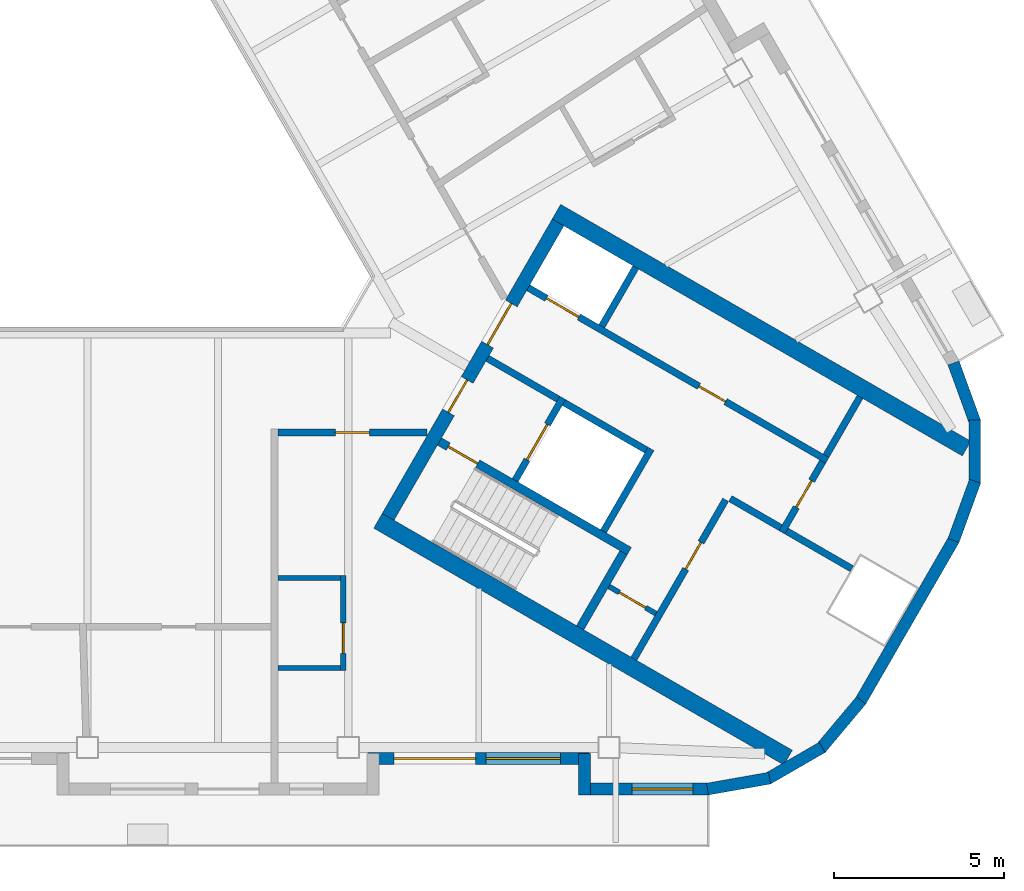
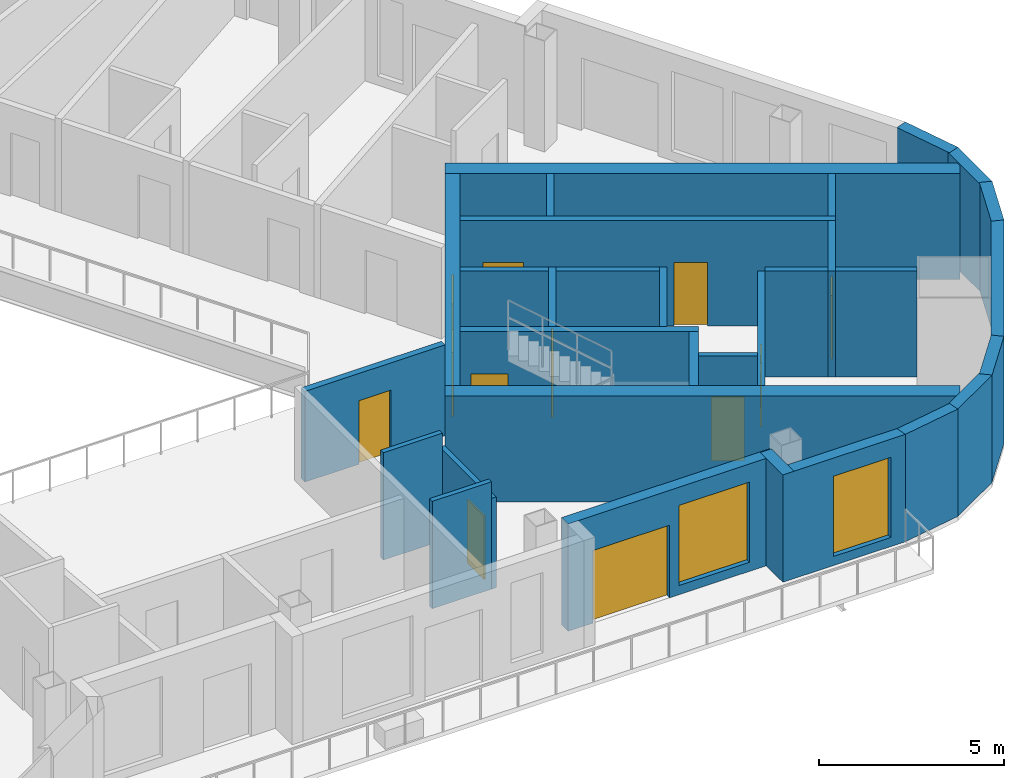
# One storey, part 5 of 14: 31 walls, 12 doors, 2 windows, 14 openings.
"""IFC4 building model written with IfcOpenShell, lengths in metres."""

from ifc_helpers import new_model, si_unit, direction, frame, frame_2d, origin, place, context, subcontext, project, spatial, rectangle, extrude, material, layer, layer_set, type_object, element, fill, save


model = new_model("IFC4")

# Units and contexts
model_context = context("Model", 3, precision=1e-05, world=origin(), true_north=direction((0.0, 1.0)))
body_context = subcontext(model_context, "Body", "Model", "MODEL_VIEW")
ifc_project = project(units=[si_unit("LENGTHUNIT", "METRE"), si_unit("AREAUNIT", "SQUARE_METRE"), si_unit("VOLUMEUNIT", "CUBIC_METRE"), si_unit("PLANEANGLEUNIT", "RADIAN"), si_unit("MASSUNIT", "GRAM", prefix="KILO")], contexts=[model_context])

# Site, building, storey
site_placement = place(None, origin())
site = spatial("IfcSite", under=ifc_project, at=site_placement, CompositionType="ELEMENT")
building_placement = place(site_placement, origin())
building = spatial("IfcBuilding", under=site, at=building_placement, Name="Apuvela Tower Hotel", CompositionType="ELEMENT")
storey_placement = place(building_placement, frame((0.0, 0.0, 261.5)))
storey = spatial("IfcBuildingStorey", under=building, at=storey_placement, Name="L64", CompositionType="ELEMENT", Elevation=261.5)

# Wall, openings, doors
ifc_material_1 = material(Name="Concrete C50/60", Category="concrete")
ifc_layer_1 = layer(ifc_material_1, 0.39990234375)
ifc_layer_set_1 = layer_set([ifc_layer_1], Name="COR-WALL-CORE-400")
wall_type_1 = type_object("IfcWallType", Name="COR-WALL-CORE-400", PredefinedType="SHEAR", material=ifc_layer_set_1)
wall_1_placement = place(storey_placement, frame((8.844970703125, -10.880126953125, 0.0), z_axis=(0.0, 0.0, 1.0), x_axis=(0.500004234368, 0.866022959057, 0.0)))
wall_1 = element("IfcWall", 1, at=wall_1_placement, inside=storey, type_object=wall_type_1, Name="Core wall SE", PredefinedType="SHEAR", context=body_context, shape_type="SweptSolid", body=[
    extrude(rectangle(XDim=10.0, YDim=0.39990234375, at=frame_2d((5.0, 0.0))), origin(), (0.0, 0.0, 1.0), 3.5),
])
opening_1_placement = place(wall_1_placement, frame((3.550048828125, 0.0, 0.0)))
opening_1 = element("IfcOpeningElement", 2, at=opening_1_placement, cuts=wall_1, Name="Opening E-FD", PredefinedType="OPENING", context=body_context, shape_type="SweptSolid", body=[
    extrude(rectangle(XDim=1.10009765625, YDim=2.10009765625, at=frame_2d((0.550048828125, 1.050048828125))), frame((0.0, 0.2099609375, 0.0), z_axis=(0.0, -1.0, 0.0), x_axis=(1.0, 0.0, 0.0)), (0.0, 0.0, 1.0), 0.419921875),
])
opening_2_placement = place(wall_1_placement, frame((5.85009765625, 0.0, 0.0)))
opening_2 = element("IfcOpeningElement", 3, at=opening_2_placement, cuts=wall_1, Name="Opening E-GD", PredefinedType="OPENING", context=body_context, shape_type="SweptSolid", body=[
    extrude(rectangle(XDim=1.39990234375, YDim=2.10009765625, at=frame_2d((0.699951171875, 1.050048828125))), frame((0.0, 0.2099609375, 0.0), z_axis=(0.0, -1.0, 0.0), x_axis=(1.0, 0.0, 0.0)), (0.0, 0.0, 1.0), 0.419921875),
])
ifc_material_2 = material(Name="Steel fire door, powder coated", Category="steel")
door_type_1 = type_object("IfcDoorType", Name="COR-FD-1100", OperationType="NOTDEFINED", PredefinedType="DOOR", material=ifc_material_2)
door_1_placement = place(opening_1_placement, frame((1.10009765625, 0.0, 0.0), z_axis=(0.0, 0.0, 1.0), x_axis=(-1.0, 0.0, 0.0)))
door_1 = element("IfcDoor", 4, at=door_1_placement, inside=storey, type_object=door_type_1, Name="Firefighting lobby door E-FD", OperationType="SINGLE_SWING_LEFT", OverallHeight=2.10009765625, OverallWidth=1.10009765625, PredefinedType="DOOR", context=body_context, shape_type="SweptSolid", body=[
    extrude(rectangle(XDim=1.10009765625, YDim=2.10009765625, at=frame_2d((0.550048828125, 1.050048828125))), frame((0.0, 0.02490234375, 0.0), z_axis=(0.0, -1.0, 0.0), x_axis=(1.0, 0.0, 0.0)), (0.0, 0.0, 1.0), 0.050048828125),
])
fill(opening_1, door_1)
ifc_material_3 = material(Name="Glazed steel fire door", Category="steel")
door_type_2 = type_object("IfcDoorType", Name="COR-GD-1400", OperationType="DOUBLE_DOOR_SINGLE_SWING", PredefinedType="DOOR", material=ifc_material_3)
door_2_placement = place(opening_2_placement, frame((1.39990234375, 0.0, 0.0), z_axis=(0.0, 0.0, 1.0), x_axis=(-1.0, 0.0, 0.0)))
door_2 = element("IfcDoor", 5, at=door_2_placement, inside=storey, type_object=door_type_2, Name="Lift lobby door E-GD", OperationType="DOUBLE_DOOR_SINGLE_SWING", OverallHeight=2.10009765625, OverallWidth=1.39990234375, PredefinedType="DOOR", context=body_context, shape_type="SweptSolid", body=[
    extrude(rectangle(XDim=1.39990234375, YDim=2.10009765625, at=frame_2d((0.699951171875, 1.050048828125))), frame((0.0, 0.02490234375, 0.0), z_axis=(0.0, -1.0, 0.0), x_axis=(1.0, 0.0, 0.0)), (0.0, 0.0, 1.0), 0.050048828125),
])
fill(opening_2, door_2)

# Walls
ifc_layer_2 = layer(ifc_material_1, 0.5)
ifc_layer_set_2 = layer_set([ifc_layer_2], Name="COR-WALL-CORE-500")
wall_type_2 = type_object("IfcWallType", Name="COR-WALL-CORE-500", PredefinedType="SHEAR", material=ifc_layer_set_2)
for number, where, z_axis, x_axis, name in (
    (6, (8.546630859375, -10.99658203125, 0.0), (0.0, 0.0, 1.0), (0.86602744543, -0.49999646375, 0.0), "Core wall SE"),
    (7, (13.796630859375, -1.9033203125, 0.0), (0.0, 0.0, 1.0), (0.86602744543, -0.49999646375, 0.0), "Core wall SE"),
):
    element("IfcWall", number, at=place(storey_placement, frame(where, z_axis=z_axis, x_axis=x_axis)), inside=storey, type_object=wall_type_2, Name=name, PredefinedType="SHEAR", context=body_context, shape_type="SweptSolid", body=[
        extrude(rectangle(XDim=13.93408203125, YDim=0.5, at=frame_2d((6.967041015625, 0.0))), origin(), (0.0, 0.0, 1.0), 3.5),
    ])

# Wall, opening, door
ifc_material_4 = material(Name="Blockwork 150 mm plastered", Category="masonry")
ifc_layer_3 = layer(ifc_material_4, 0.14990234375)
ifc_layer_set_3 = layer_set([ifc_layer_3], Name="COR-WALL-PART-150")
wall_type_3 = type_object("IfcWallType", Name="COR-WALL-PART-150", PredefinedType="PARTITIONING", material=ifc_layer_set_3)
wall_2_placement = place(storey_placement, frame((15.341552734375, -12.927734375, 0.0), z_axis=(0.0, 0.0, 1.0), x_axis=(0.865989903783, -0.500061482766, 0.0)))
wall_2 = element("IfcWall", 8, at=wall_2_placement, inside=storey, type_object=wall_type_3, Name="Partition SE", PredefinedType="PARTITIONING", context=body_context, shape_type="SweptSolid", body=[
    extrude(rectangle(XDim=1.599853515625, YDim=0.14990234375, at=frame_2d((0.7998046875, 0.0))), origin(), (0.0, 0.0, 1.0), 3.5),
])
opening_3_placement = place(wall_2_placement, frame((0.35009765625, 0.0, 0.0)))
opening_3 = element("IfcOpeningElement", 9, at=opening_3_placement, cuts=wall_2, Name="Opening E-RD", PredefinedType="OPENING", context=body_context, shape_type="SweptSolid", body=[
    extrude(rectangle(XDim=0.89990234375, YDim=2.10009765625, at=frame_2d((0.449951171875, 1.050048828125))), frame((0.0, 0.0849609375, 0.0), z_axis=(0.0, -1.0, 0.0), x_axis=(1.0, 0.0, 0.0)), (0.0, 0.0, 1.0), 0.169921875),
])
ifc_material_5 = material(Name="Steel access door, powder coated", Category="steel")
door_type_3 = type_object("IfcDoorType", Name="COR-RD-900", OperationType="NOTDEFINED", PredefinedType="DOOR", material=ifc_material_5)
door_3_placement = place(opening_3_placement, frame((0.89990234375, 0.0, 0.0), z_axis=(0.0, 0.0, 1.0), x_axis=(-1.0, 0.0, 0.0)))
door_3 = element("IfcDoor", 10, at=door_3_placement, inside=storey, type_object=door_type_3, Name="Riser door E-RD", OperationType="SINGLE_SWING_LEFT", OverallHeight=2.10009765625, OverallWidth=0.89990234375, PredefinedType="DOOR", context=body_context, shape_type="SweptSolid", body=[
    extrude(rectangle(XDim=0.89990234375, YDim=2.10009765625, at=frame_2d((0.449951171875, 1.050048828125))), frame((0.0, 0.02490234375, 0.0), z_axis=(0.0, -1.0, 0.0), x_axis=(1.0, 0.0, 0.0)), (0.0, 0.0, 1.0), 0.050048828125),
])
fill(opening_3, door_3)

ifc_material_6 = material(Name="Blockwork 200 mm plastered", Category="masonry")
ifc_layer_4 = layer(ifc_material_6, 0.199951171875)
ifc_layer_set_4 = layer_set([ifc_layer_4], Name="COR-WALL-PART-200")
wall_type_4 = type_object("IfcWallType", Name="COR-WALL-PART-200", PredefinedType="PARTITIONING", material=ifc_layer_set_4)
wall_3_placement = place(storey_placement, frame((16.076171875, -15.05517578125, 0.0), z_axis=(0.0, 0.0, 1.0), x_axis=(0.499995103361, 0.866028230842, 0.0)))
wall_3 = element("IfcWall", 11, at=wall_3_placement, inside=storey, type_object=wall_type_4, Name="Partition SE", PredefinedType="PARTITIONING", context=body_context, shape_type="SweptSolid", body=[
    extrude(rectangle(XDim=5.39990234375, YDim=0.199951171875, at=frame_2d((2.699951171875, 0.0))), origin(), (0.0, 0.0, 1.0), 3.5),
])
opening_4_placement = place(wall_3_placement, frame((3.050048828125, 0.0, 0.0)))
opening_4 = element("IfcOpeningElement", 12, at=opening_4_placement, cuts=wall_3, Name="Opening E-RS1", PredefinedType="OPENING", context=body_context, shape_type="SweptSolid", body=[
    extrude(rectangle(XDim=0.89990234375, YDim=2.10009765625, at=frame_2d((0.449951171875, 1.050048828125))), frame((0.0, 0.10986328125, 0.0), z_axis=(0.0, -1.0, 0.0), x_axis=(1.0, 0.0, 0.0)), (0.0, 0.0, 1.0), 0.219970703125),
])
door_type_4 = type_object("IfcDoorType", Name="COR-DR-900", OperationType="NOTDEFINED", PredefinedType="DOOR", material=ifc_material_2)
door_4_placement = place(opening_4_placement, frame((0.89990234375, 0.0, 0.0), z_axis=(0.0, 0.0, 1.0), x_axis=(-1.0, 0.0, 0.0)))
door_4 = element("IfcDoor", 13, at=door_4_placement, inside=storey, type_object=door_type_4, Name="Store door E-RS1", OperationType="SINGLE_SWING_LEFT", OverallHeight=2.10009765625, OverallWidth=0.89990234375, PredefinedType="DOOR", context=body_context, shape_type="SweptSolid", body=[
    extrude(rectangle(XDim=0.89990234375, YDim=2.10009765625, at=frame_2d((0.449951171875, 1.050048828125))), frame((0.0, 0.02490234375, 0.0), z_axis=(0.0, -1.0, 0.0), x_axis=(1.0, 0.0, 0.0)), (0.0, 0.0, 1.0), 0.050048828125),
])
fill(opening_4, door_4)

# Wall
ifc_layer_5 = layer(ifc_material_1, 0.199951171875)
ifc_layer_set_5 = layer_set([ifc_layer_5], Name="COR-WALL-SHAFT-200")
wall_type_5 = type_object("IfcWallType", Name="COR-WALL-SHAFT-200", PredefinedType="SHEAR", material=ifc_layer_set_5)
wall_4_placement = place(storey_placement, frame((15.181396484375, -11.305419921875, 0.0), z_axis=(0.0, 0.0, 1.0), x_axis=(0.49994636267, 0.866056369097, 0.0)))
element("IfcWall", 14, at=wall_4_placement, inside=storey, type_object=wall_type_5, Name="Shaft wall SE", PredefinedType="SHEAR", context=body_context, shape_type="SweptSolid", body=[
    extrude(rectangle(XDim=2.800048828125, YDim=0.199951171875, at=frame_2d((1.39990234375, 0.0))), origin(), (0.0, 0.0, 1.0), 3.5),
])

# Wall, opening, door
wall_5_placement = place(storey_placement, frame((12.583251953125, -9.805419921875, 0.0), z_axis=(0.0, 0.0, 1.0), x_axis=(0.49994636267, 0.866056369097, 0.0)))
wall_5 = element("IfcWall", 15, at=wall_5_placement, inside=storey, type_object=wall_type_5, Name="Shaft wall SE", PredefinedType="SHEAR", context=body_context, shape_type="SweptSolid", body=[
    extrude(rectangle(XDim=2.800048828125, YDim=0.199951171875, at=frame_2d((1.39990234375, 0.0))), origin(), (0.0, 0.0, 1.0), 3.5),
])
opening_5_placement = place(wall_5_placement, frame((0.699951171875, 0.0, 0.0)))
opening_5 = element("IfcOpeningElement", 16, at=opening_5_placement, cuts=wall_5, Name="Opening E-LD-FS3", PredefinedType="OPENING", context=body_context, shape_type="SweptSolid", body=[
    extrude(rectangle(XDim=1.199951171875, YDim=2.10009765625, at=frame_2d((0.60009765625, 1.050048828125))), frame((0.0, 0.10986328125, 0.0), z_axis=(0.0, -1.0, 0.0), x_axis=(1.0, 0.0, 0.0)), (0.0, 0.0, 1.0), 0.219970703125),
])
ifc_material_7 = material(Name="Stainless steel lift landing door", Category="steel")
door_type_5 = type_object("IfcDoorType", Name="COR-LD-1200", OperationType="DOUBLE_DOOR_SLIDING", PredefinedType="DOOR", material=ifc_material_7)
door_5_placement = place(opening_5_placement, origin())
door_5 = element("IfcDoor", 17, at=door_5_placement, inside=storey, type_object=door_type_5, Name="Lift landing door E-LD-FS3", OperationType="DOUBLE_DOOR_SLIDING", OverallHeight=2.10009765625, OverallWidth=1.199951171875, PredefinedType="DOOR", context=body_context, shape_type="SweptSolid", body=[
    extrude(rectangle(XDim=1.199951171875, YDim=2.10009765625, at=frame_2d((0.60009765625, 1.050048828125))), frame((0.0, 0.02490234375, 0.0), z_axis=(0.0, -1.0, 0.0), x_axis=(1.0, 0.0, 0.0)), (0.0, 0.0, 1.0), 0.050048828125),
])
fill(opening_5, door_5)

# Walls
wall_6_placement = place(storey_placement, frame((11.76806640625, -6.217041015625, 0.0), z_axis=(0.0, 0.0, 1.0), x_axis=(0.866050077142, -0.499957262057, 0.0)))
element("IfcWall", 18, at=wall_6_placement, inside=storey, type_object=wall_type_5, Name="Shaft wall SE", PredefinedType="SHEAR", context=body_context, shape_type="SweptSolid", body=[
    extrude(rectangle(XDim=2.400146484375, YDim=0.199951171875, at=frame_2d((1.2001953125, 0.0))), origin(), (0.0, 0.0, 1.0), 3.5),
])
wall_7_placement = place(storey_placement, frame((14.019775390625, -7.51708984375, 0.0), z_axis=(0.0, 0.0, 1.0), x_axis=(0.866034573852, -0.49998411664, 0.0)))
element("IfcWall", 19, at=wall_7_placement, inside=storey, type_object=wall_type_5, Name="Shaft wall SE", PredefinedType="SHEAR", context=body_context, shape_type="SweptSolid", body=[
    extrude(rectangle(XDim=2.7998046875, YDim=0.199951171875, at=frame_2d((1.39990234375, 0.0))), origin(), (0.0, 0.0, 1.0), 3.5),
])

# Wall, openings, doors
wall_8_placement = place(storey_placement, frame((12.968017578125, -4.138427734375, 0.0), z_axis=(0.0, 0.0, 1.0), x_axis=(0.866028328073, -0.49999493495, 0.0)))
wall_8 = element("IfcWall", 20, at=wall_8_placement, inside=storey, type_object=wall_type_5, Name="Shaft wall SE", PredefinedType="SHEAR", context=body_context, shape_type="SweptSolid", body=[
    extrude(rectangle(XDim=10.16015625, YDim=0.199951171875, at=frame_2d((5.080078125, 0.0))), origin(), (0.0, 0.0, 1.0), 3.5),
])
opening_6_placement = place(wall_8_placement, frame((0.6201171875, 0.0, 0.0)))
opening_6 = element("IfcOpeningElement", 21, at=opening_6_placement, cuts=wall_8, Name="Opening E-LD-HR3", PredefinedType="OPENING", context=body_context, shape_type="SweptSolid", body=[
    extrude(rectangle(XDim=1.10009765625, YDim=2.10009765625, at=frame_2d((0.550048828125, 1.050048828125))), frame((0.0, 0.10986328125, 0.0), z_axis=(0.0, -1.0, 0.0), x_axis=(1.0, 0.0, 0.0)), (0.0, 0.0, 1.0), 0.219970703125),
])
opening_7_placement = place(wall_8_placement, frame((5.800048828125, 0.0, 0.0)))
opening_7 = element("IfcOpeningElement", 22, at=opening_7_placement, cuts=wall_8, Name="Opening E-RE2", PredefinedType="OPENING", context=body_context, shape_type="SweptSolid", body=[
    extrude(rectangle(XDim=0.89990234375, YDim=2.10009765625, at=frame_2d((0.449951171875, 1.050048828125))), frame((0.0, 0.10986328125, 0.0), z_axis=(0.0, -1.0, 0.0), x_axis=(1.0, 0.0, 0.0)), (0.0, 0.0, 1.0), 0.219970703125),
])
door_6_placement = place(opening_7_placement, origin())
door_6 = element("IfcDoor", 23, at=door_6_placement, inside=storey, type_object=door_type_4, Name="Store door E-RE2", OperationType="SINGLE_SWING_LEFT", OverallHeight=2.10009765625, OverallWidth=0.89990234375, PredefinedType="DOOR", context=body_context, shape_type="SweptSolid", body=[
    extrude(rectangle(XDim=0.89990234375, YDim=2.10009765625, at=frame_2d((0.449951171875, 1.050048828125))), frame((0.0, 0.02490234375, 0.0), z_axis=(0.0, -1.0, 0.0), x_axis=(1.0, 0.0, 0.0)), (0.0, 0.0, 1.0), 0.050048828125),
])
fill(opening_7, door_6)
door_type_6 = type_object("IfcDoorType", Name="COR-LD-1100", OperationType="DOUBLE_DOOR_SLIDING", PredefinedType="DOOR", material=ifc_material_7)
door_7_placement = place(opening_6_placement, origin())
door_7 = element("IfcDoor", 24, at=door_7_placement, inside=storey, type_object=door_type_6, Name="Lift landing door E-LD-HR3", OperationType="DOUBLE_DOOR_SLIDING", OverallHeight=2.10009765625, OverallWidth=1.10009765625, PredefinedType="DOOR", context=body_context, shape_type="SweptSolid", body=[
    extrude(rectangle(XDim=1.10009765625, YDim=2.10009765625, at=frame_2d((0.550048828125, 1.050048828125))), frame((0.0, 0.02490234375, 0.0), z_axis=(0.0, -1.0, 0.0), x_axis=(1.0, 0.0, 0.0)), (0.0, 0.0, 1.0), 0.050048828125),
])
fill(opening_6, door_7)

# Wall, opening, door
wall_9_placement = place(storey_placement, frame((20.430419921875, -11.33349609375, 0.0), z_axis=(0.0, 0.0, 1.0), x_axis=(0.500001309137, 0.866024647952, 0.0)))
wall_9 = element("IfcWall", 25, at=wall_9_placement, inside=storey, type_object=wall_type_5, Name="Shaft wall SE", PredefinedType="SHEAR", context=body_context, shape_type="SweptSolid", body=[
    extrude(rectangle(XDim=2.39990234375, YDim=0.199951171875, at=frame_2d((1.199951171875, 0.0))), origin(), (0.0, 0.0, 1.0), 3.5),
])
opening_8_placement = place(wall_9_placement, frame((0.85009765625, 0.0, 0.0)))
opening_8 = element("IfcOpeningElement", 26, at=opening_8_placement, cuts=wall_9, Name="Opening E-REP", PredefinedType="OPENING", context=body_context, shape_type="SweptSolid", body=[
    extrude(rectangle(XDim=0.89990234375, YDim=2.10009765625, at=frame_2d((0.449951171875, 1.050048828125))), frame((0.0, 0.10986328125, 0.0), z_axis=(0.0, -1.0, 0.0), x_axis=(1.0, 0.0, 0.0)), (0.0, 0.0, 1.0), 0.219970703125),
])
door_8_placement = place(opening_8_placement, frame((0.89990234375, 0.0, 0.0), z_axis=(0.0, 0.0, 1.0), x_axis=(-1.0, 0.0, 0.0)))
door_8 = element("IfcDoor", 27, at=door_8_placement, inside=storey, type_object=door_type_4, Name="Store door E-REP", OperationType="SINGLE_SWING_RIGHT", OverallHeight=2.10009765625, OverallWidth=0.89990234375, PredefinedType="DOOR", context=body_context, shape_type="SweptSolid", body=[
    extrude(rectangle(XDim=0.89990234375, YDim=2.10009765625, at=frame_2d((0.449951171875, 1.050048828125))), frame((0.0, 0.02490234375, 0.0), z_axis=(0.0, -1.0, 0.0), x_axis=(1.0, 0.0, 0.0)), (0.0, 0.0, 1.0), 0.050048828125),
])
fill(opening_8, door_8)

# Walls
wall_10_placement = place(storey_placement, frame((18.912841796875, -10.342041015625, 0.0), z_axis=(0.0, 0.0, 1.0), x_axis=(0.866038183914, -0.499977863513, 0.0)))
element("IfcWall", 28, at=wall_10_placement, inside=storey, type_object=wall_type_5, Name="Shaft wall SE", PredefinedType="SHEAR", context=body_context, shape_type="SweptSolid", body=[
    extrude(rectangle(XDim=1.7099609375, YDim=0.199951171875, at=frame_2d((0.85498046875, 0.0))), origin(), (0.0, 0.0, 1.0), 3.5),
])
for number, where, z_axis, x_axis, name in (
    (29, (15.131103515625, -5.27197265625, 0.0), (0.0, 0.0, 1.0), (0.499972520799, 0.866041268327, 0.0), "Shaft wall SE"),
    (30, (21.73046875, -9.081787109375, 0.0), (0.0, 0.0, 1.0), (0.50002537861, 0.866010750942, 0.0), "Shaft wall SE"),
):
    element("IfcWall", number, at=place(storey_placement, frame(where, z_axis=z_axis, x_axis=x_axis)), inside=storey, type_object=wall_type_5, Name=name, PredefinedType="SHEAR", context=body_context, shape_type="SweptSolid", body=[
        extrude(rectangle(XDim=2.0, YDim=0.199951171875, at=frame_2d((1.0, 0.0))), origin(), (0.0, 0.0, 1.0), 3.5),
    ])
wall_11_placement = place(storey_placement, frame((20.56689453125, -11.297119140625, 0.0), z_axis=(0.0, 0.0, 1.0), x_axis=(0.866079196458, -0.49990681678, 0.0)))
element("IfcWall", 31, at=wall_11_placement, inside=storey, type_object=wall_type_5, Name="Shaft wall SE", PredefinedType="SHEAR", context=body_context, shape_type="SweptSolid", body=[
    extrude(rectangle(XDim=2.21630859375, YDim=0.199951171875, at=frame_2d((1.108154296875, 0.0))), origin(), (0.0, 0.0, 1.0), 3.5),
])

# Wall, opening, door
ifc_layer_6 = layer(ifc_material_1, 0.25)
ifc_layer_set_6 = layer_set([ifc_layer_6], Name="COR-WALL-STAIR-250")
wall_type_6 = type_object("IfcWallType", Name="COR-WALL-STAIR-250", PredefinedType="SHEAR", material=ifc_layer_set_6)
wall_12_placement = place(storey_placement, frame((10.355712890625, -8.66357421875, 0.0), z_axis=(0.0, 0.0, 1.0), x_axis=(0.866028629588, -0.499994412703, 0.0)))
wall_12 = element("IfcWall", 32, at=wall_12_placement, inside=storey, type_object=wall_type_6, Name="Stair wall SE", PredefinedType="SHEAR", context=body_context, shape_type="SweptSolid", body=[
    extrude(rectangle(XDim=6.44970703125, YDim=0.25, at=frame_2d((3.224853515625, 0.0))), origin(), (0.0, 0.0, 1.0), 3.5),
])
opening_9_placement = place(wall_12_placement, frame((0.300048828125, 0.0, 0.0)))
opening_9 = element("IfcOpeningElement", 33, at=opening_9_placement, cuts=wall_12, Name="Opening E-SD", PredefinedType="OPENING", context=body_context, shape_type="SweptSolid", body=[
    extrude(rectangle(XDim=1.0, YDim=2.10009765625, at=frame_2d((0.5, 1.050048828125))), frame((0.0, 0.135009765625, 0.0), z_axis=(0.0, -1.0, 0.0), x_axis=(1.0, 0.0, 0.0)), (0.0, 0.0, 1.0), 0.27001953125),
])
door_type_7 = type_object("IfcDoorType", Name="COR-SD-1000", OperationType="NOTDEFINED", PredefinedType="DOOR", material=ifc_material_2)
door_9_placement = place(opening_9_placement, frame((1.0, 0.0, 0.0), z_axis=(0.0, 0.0, 1.0), x_axis=(-1.0, 0.0, 0.0)))
door_9 = element("IfcDoor", 34, at=door_9_placement, inside=storey, type_object=door_type_7, Name="Stair door E-SD", OperationType="SINGLE_SWING_LEFT", OverallHeight=2.10009765625, OverallWidth=1.0, PredefinedType="DOOR", context=body_context, shape_type="SweptSolid", body=[
    extrude(rectangle(XDim=1.0, YDim=2.10009765625, at=frame_2d((0.5, 1.050048828125))), frame((0.0, 0.02490234375, 0.0), z_axis=(0.0, -1.0, 0.0), x_axis=(1.0, 0.0, 0.0)), (0.0, 0.0, 1.0), 0.050048828125),
])
fill(opening_9, door_9)

# Wall
wall_13_placement = place(storey_placement, frame((14.49560546875, -14.142578125, 0.0), z_axis=(0.0, 0.0, 1.0), x_axis=(0.500062241894, 0.865989465428, 0.0)))
element("IfcWall", 35, at=wall_13_placement, inside=storey, type_object=wall_type_6, Name="Stair wall SE", PredefinedType="SHEAR", context=body_context, shape_type="SweptSolid", body=[
    extrude(rectangle(XDim=2.550048828125, YDim=0.25, at=frame_2d((1.27490234375, 0.0))), origin(), (0.0, 0.0, 1.0), 3.5),
])

# Wall, openings, door, window
ifc_material_8 = material(Name="Concrete C40/50, dark pigmented precast panel", Category="concrete")
ifc_layer_7 = layer(ifc_material_8, 0.35009765625)
ifc_layer_set_7 = layer_set([ifc_layer_7], Name="ENV-WALL-350")
wall_type_7 = type_object("IfcWallType", Name="ENV-WALL-350", PredefinedType="SOLIDWALL", material=ifc_layer_set_7)
wall_14_placement = place(storey_placement, frame((8.251708984375, -17.98779296875, 0.0), z_axis=(0.0, 0.0, 1.0), x_axis=(1.0, 0.0, 0.0)))
wall_14 = element("IfcWall", 36, at=wall_14_placement, inside=storey, type_object=wall_type_7, Name="External wall L64-23", PredefinedType="SOLIDWALL", context=body_context, shape_type="SweptSolid", body=[
    extrude(rectangle(XDim=6.51171875, YDim=0.35009765625, at=frame_2d((3.255859375, 0.0))), origin(), (0.0, 0.0, 1.0), 3.550048828125),
])
opening_10_placement = place(wall_14_placement, frame((0.77001953125, 0.0, 0.0)))
opening_10 = element("IfcOpeningElement", 37, at=opening_10_placement, cuts=wall_14, Name="Opening BD24", PredefinedType="OPENING", context=body_context, shape_type="SweptSolid", body=[
    extrude(rectangle(XDim=2.39990234375, YDim=2.39990234375, at=frame_2d((1.199951171875, 1.199951171875))), frame((0.0, 0.18505859375, 0.0), z_axis=(0.0, -1.0, 0.0), x_axis=(1.0, 0.0, 0.0)), (0.0, 0.0, 1.0), 0.3701171875),
])
opening_11_placement = place(wall_14_placement, frame((3.469970703125, 0.0, 0.300048828125)))
opening_11 = element("IfcOpeningElement", 38, at=opening_11_placement, cuts=wall_14, Name="Opening WN22", PredefinedType="OPENING", context=body_context, shape_type="SweptSolid", body=[
    extrude(rectangle(XDim=2.199951171875, YDim=2.64990234375, at=frame_2d((1.10009765625, 1.324951171875))), frame((0.0, 0.18505859375, 0.0), z_axis=(0.0, -1.0, 0.0), x_axis=(1.0, 0.0, 0.0)), (0.0, 0.0, 1.0), 0.3701171875),
])
ifc_material_9 = material(Name="Aluminium 6063-T6, dark bronze anodised frame with dark tinted laminated glass", Category="aluminium")
door_type_8 = type_object("IfcDoorType", Name="ENV-DOOR-BALCONY-2400x2400", OperationType="SLIDING_TO_LEFT", PredefinedType="DOOR", material=ifc_material_9)
door_10_placement = place(opening_10_placement, frame((2.39990234375, 0.0, 0.0), z_axis=(0.0, 0.0, 1.0), x_axis=(-1.0, 0.0, 0.0)))
door_10 = element("IfcDoor", 39, at=door_10_placement, inside=storey, type_object=door_type_8, Name="Balcony door BD24", OperationType="SLIDING_TO_LEFT", OverallHeight=2.39990234375, OverallWidth=2.39990234375, PredefinedType="DOOR", context=body_context, shape_type="SweptSolid", body=[
    extrude(rectangle(XDim=2.39990234375, YDim=2.39990234375, at=frame_2d((1.199951171875, 1.199951171875))), frame((0.0, 0.02490234375, 0.0), z_axis=(0.0, -1.0, 0.0), x_axis=(1.0, 0.0, 0.0)), (0.0, 0.0, 1.0), 0.050048828125),
])
fill(opening_10, door_10)
ifc_material_10 = material(Name="Glass, dark tinted laminated insulated glazing unit", Category="glass")
window_type_1 = type_object("IfcWindowType", Name="ENV-WIN-2200x2650", PartitioningType="SINGLE_PANEL", PredefinedType="WINDOW", material=ifc_material_10)
window_1_placement = place(opening_11_placement, origin())
window_1 = element("IfcWindow", 40, at=window_1_placement, inside=storey, type_object=window_type_1, Name="Window WN22", OverallHeight=2.64990234375, OverallWidth=2.199951171875, PartitioningType="SINGLE_PANEL", PredefinedType="WINDOW", context=body_context, shape_type="SweptSolid", body=[
    extrude(rectangle(XDim=2.199951171875, YDim=2.64990234375, at=frame_2d((1.10009765625, 1.324951171875))), frame((0.0, 0.030029296875, 0.0), z_axis=(0.0, -1.0, 0.0), x_axis=(1.0, 0.0, 0.0)), (0.0, 0.0, 1.0), 0.06005859375),
])
fill(opening_11, window_1)

# Wall
wall_15_placement = place(storey_placement, frame((14.618408203125, -17.843017578125, 0.0), z_axis=(0.0, 0.0, 1.0), x_axis=(0.0, -1.0, 0.0)))
element("IfcWall", 41, at=wall_15_placement, inside=storey, type_object=wall_type_7, Name="External wall L64-24", PredefinedType="SOLIDWALL", context=body_context, shape_type="SweptSolid", body=[
    extrude(rectangle(XDim=1.219970703125, YDim=0.35009765625, at=frame_2d((0.60986328125, 0.0))), origin(), (0.0, 0.0, 1.0), 3.550048828125),
])

# Wall, opening, window
wall_16_placement = place(storey_placement, frame((14.443603515625, -18.887939453125, 0.0), z_axis=(0.0, 0.0, 1.0), x_axis=(1.0, 0.0, 0.0)))
wall_16 = element("IfcWall", 42, at=wall_16_placement, inside=storey, type_object=wall_type_7, Name="External wall L64-25", PredefinedType="SOLIDWALL", context=body_context, shape_type="SweptSolid", body=[
    extrude(rectangle(XDim=3.82861328125, YDim=0.35009765625, at=frame_2d((1.914306640625, 0.0))), origin(), (0.0, 0.0, 1.0), 3.550048828125),
])
opening_12_placement = place(wall_16_placement, frame((1.575439453125, 0.0, 0.300048828125)))
opening_12 = element("IfcOpeningElement", 43, at=opening_12_placement, cuts=wall_16, Name="Opening WN18", PredefinedType="OPENING", context=body_context, shape_type="SweptSolid", body=[
    extrude(rectangle(XDim=1.800048828125, YDim=2.64990234375, at=frame_2d((0.89990234375, 1.324951171875))), frame((0.0, 0.18505859375, 0.0), z_axis=(0.0, -1.0, 0.0), x_axis=(1.0, 0.0, 0.0)), (0.0, 0.0, 1.0), 0.3701171875),
])
window_type_2 = type_object("IfcWindowType", Name="ENV-WIN-1800x2650", PartitioningType="SINGLE_PANEL", PredefinedType="WINDOW", material=ifc_material_10)
window_2_placement = place(opening_12_placement, origin())
window_2 = element("IfcWindow", 44, at=window_2_placement, inside=storey, type_object=window_type_2, Name="Window WN18", OverallHeight=2.64990234375, OverallWidth=1.800048828125, PartitioningType="SINGLE_PANEL", PredefinedType="WINDOW", context=body_context, shape_type="SweptSolid", body=[
    extrude(rectangle(XDim=1.800048828125, YDim=2.64990234375, at=frame_2d((0.89990234375, 1.324951171875))), frame((0.0, 0.030029296875, 0.0), z_axis=(0.0, -1.0, 0.0), x_axis=(1.0, 0.0, 0.0)), (0.0, 0.0, 1.0), 0.06005859375),
])
fill(opening_12, window_2)

# Walls
wall_17_placement = place(storey_placement, frame((18.241943359375, -18.890625, 0.0), z_axis=(0.0, 0.0, 1.0), x_axis=(0.984791508075, 0.173740282098, 0.0)))
element("IfcWall", 45, at=wall_17_placement, inside=storey, type_object=wall_type_7, Name="External wall L64-26", PredefinedType="SOLIDWALL", context=body_context, shape_type="SweptSolid", body=[
    extrude(rectangle(XDim=1.85498046875, YDim=0.35009765625, at=frame_2d((0.927490234375, 0.0))), origin(), (0.0, 0.0, 1.0), 3.550048828125),
])
for number, where, z_axis, x_axis, name in (
    (46, (20.011474609375, -18.589111328125, 0.0), (0.0, 0.0, 1.0), (0.866080385203, 0.499904757295, 0.0), "External wall L64-27"),
    (47, (21.571533203125, -17.70068359375, 0.0), (0.0, 0.0, 1.0), (0.642744363867, 0.76608072859, 0.0), "External wall L64-28"),
):
    element("IfcWall", number, at=place(storey_placement, frame(where, z_axis=z_axis, x_axis=x_axis)), inside=storey, type_object=wall_type_7, Name=name, PredefinedType="SOLIDWALL", context=body_context, shape_type="SweptSolid", body=[
        extrude(rectangle(XDim=1.854736328125, YDim=0.35009765625, at=frame_2d((0.92724609375, 0.0))), origin(), (0.0, 0.0, 1.0), 3.550048828125),
    ])
wall_18_placement = place(storey_placement, frame((22.74609375, -16.304931640625, 0.0), z_axis=(0.0, 0.0, 1.0), x_axis=(0.500028854569, 0.86600874395, 0.0)))
element("IfcWall", 48, at=wall_18_placement, inside=storey, type_object=wall_type_7, Name="External wall L64-29", PredefinedType="SOLIDWALL", context=body_context, shape_type="SweptSolid", body=[
    extrude(rectangle(XDim=5.494873046875, YDim=0.35009765625, at=frame_2d((2.74755859375, 0.0))), origin(), (0.0, 0.0, 1.0), 3.550048828125),
])
wall_19_placement = place(storey_placement, frame((25.480712890625, -11.57421875, 0.0), z_axis=(0.0, 0.0, 1.0), x_axis=(0.341890986265, 0.93973962006, 0.0)))
element("IfcWall", 49, at=wall_19_placement, inside=storey, type_object=wall_type_7, Name="External wall L64-30", PredefinedType="SOLIDWALL", context=body_context, shape_type="SweptSolid", body=[
    extrude(rectangle(XDim=1.855224609375, YDim=0.35009765625, at=frame_2d((0.927734375, 0.0))), origin(), (0.0, 0.0, 1.0), 3.550048828125),
])
for number, where, z_axis, x_axis, name in (
    (50, (26.1044921875, -9.890869140625, 0.0), (0.0, 0.0, 1.0), (0.0, 1.0, 0.0), "External wall L64-31"),
    (51, (26.114990234375, -8.095703125, 0.0), (0.0, 0.0, 1.0), (-0.341933271996, 0.939724234817, 0.0), "External wall L64-32"),
):
    element("IfcWall", number, at=place(storey_placement, frame(where, z_axis=z_axis, x_axis=x_axis)), inside=storey, type_object=wall_type_7, Name=name, PredefinedType="SOLIDWALL", context=body_context, shape_type="SweptSolid", body=[
        extrude(rectangle(XDim=1.85498046875, YDim=0.35009765625, at=frame_2d((0.927490234375, 0.0))), origin(), (0.0, 0.0, 1.0), 3.550048828125),
    ])

# Wall, opening, door
ifc_material_11 = material(Name="Gypsum board corridor wall on twin steel stud, acoustic", Category="steel")
ifc_layer_8 = layer(ifc_material_11, 0.199951171875)
ifc_layer_set_8 = layer_set([ifc_layer_8], Name="GST-PW2")
wall_type_8 = type_object("IfcWallType", Name="GST-PW2", PredefinedType="PARTITIONING", material=ifc_layer_set_8)
wall_20_placement = place(storey_placement, frame((9.98828125, -8.39990234375, 0.0), z_axis=(0.0, 0.0, 1.0), x_axis=(-1.0, 0.0, 0.0)))
wall_20 = element("IfcWall", 52, at=wall_20_placement, inside=storey, type_object=wall_type_8, Name="L64 partition 17", PredefinedType="PARTITIONING", context=body_context, shape_type="SweptSolid", body=[
    extrude(rectangle(XDim=4.38818359375, YDim=0.199951171875, at=frame_2d((2.194091796875, 0.0))), origin(), (0.0, 0.0, 1.0), 3.0),
])
opening_13_placement = place(wall_20_placement, frame((1.694091796875, 0.0, 0.0)))
opening_13 = element("IfcOpeningElement", 53, at=opening_13_placement, cuts=wall_20, Name="Opening GD25-06", PredefinedType="OPENING", context=body_context, shape_type="SweptSolid", body=[
    extrude(rectangle(XDim=1.0, YDim=2.10009765625, at=frame_2d((0.5, 1.050048828125))), frame((0.0, 0.10986328125, 0.0), z_axis=(0.0, -1.0, 0.0), x_axis=(1.0, 0.0, 0.0)), (0.0, 0.0, 1.0), 0.219970703125),
])
ifc_material_12 = material(Name="Timber door leaf in steel frame", Category="steel")
door_type_9 = type_object("IfcDoorType", Name="GST-D1", OperationType="NOTDEFINED", PredefinedType="DOOR", material=ifc_material_12)
door_11_placement = place(opening_13_placement, origin())
door_11 = element("IfcDoor", 54, at=door_11_placement, inside=storey, type_object=door_type_9, Name="Door L64-06", OperationType="SINGLE_SWING_RIGHT", OverallHeight=2.10009765625, OverallWidth=1.0, PredefinedType="DOOR", context=body_context, shape_type="SweptSolid", body=[
    extrude(rectangle(XDim=1.0, YDim=2.10009765625, at=frame_2d((0.5, 1.050048828125))), frame((0.0, 0.02490234375, 0.0), z_axis=(0.0, -1.0, 0.0), x_axis=(1.0, 0.0, 0.0)), (0.0, 0.0, 1.0), 0.050048828125),
])
fill(opening_13, door_11)

ifc_material_13 = material(Name="Moisture-resistant gypsum board wet wall on steel stud", Category="steel")
ifc_layer_9 = layer(ifc_material_13, 0.14990234375)
ifc_layer_set_9 = layer_set([ifc_layer_9], Name="GST-PW3")
wall_type_9 = type_object("IfcWallType", Name="GST-PW3", PredefinedType="PARTITIONING", material=ifc_layer_set_9)
wall_21_placement = place(storey_placement, frame((7.52490234375, -15.39990234375, 0.0), z_axis=(0.0, 0.0, 1.0), x_axis=(0.0, 1.0, 0.0)))
wall_21 = element("IfcWall", 55, at=wall_21_placement, inside=storey, type_object=wall_type_9, Name="L64 partition 18", PredefinedType="PARTITIONING", context=body_context, shape_type="SweptSolid", body=[
    extrude(rectangle(XDim=2.7998046875, YDim=0.14990234375, at=frame_2d((1.39990234375, 0.0))), origin(), (0.0, 0.0, 1.0), 3.0),
])
opening_14_placement = place(wall_21_placement, frame((0.5, 0.0, 0.0)))
opening_14 = element("IfcOpeningElement", 56, at=opening_14_placement, cuts=wall_21, Name="Opening GD25-05", PredefinedType="OPENING", context=body_context, shape_type="SweptSolid", body=[
    extrude(rectangle(XDim=0.89990234375, YDim=2.10009765625, at=frame_2d((0.449951171875, 1.050048828125))), frame((0.0, 0.0849609375, 0.0), z_axis=(0.0, -1.0, 0.0), x_axis=(1.0, 0.0, 0.0)), (0.0, 0.0, 1.0), 0.169921875),
])
door_type_10 = type_object("IfcDoorType", Name="GST-D2", OperationType="NOTDEFINED", PredefinedType="DOOR", material=ifc_material_12)
door_12_placement = place(opening_14_placement, origin())
door_12 = element("IfcDoor", 57, at=door_12_placement, inside=storey, type_object=door_type_10, Name="Door L64-05", OperationType="SINGLE_SWING_LEFT", OverallHeight=2.10009765625, OverallWidth=0.89990234375, PredefinedType="DOOR", context=body_context, shape_type="SweptSolid", body=[
    extrude(rectangle(XDim=0.89990234375, YDim=2.10009765625, at=frame_2d((0.449951171875, 1.050048828125))), frame((0.0, 0.02490234375, 0.0), z_axis=(0.0, -1.0, 0.0), x_axis=(1.0, 0.0, 0.0)), (0.0, 0.0, 1.0), 0.050048828125),
])
fill(opening_14, door_12)

# Walls
for number, where, z_axis, x_axis, name in (
    (58, (5.60009765625, -15.324951171875, 0.0), (0.0, 0.0, 1.0), (1.0, 0.0, 0.0), "L64 partition 19"),
    (59, (5.60009765625, -12.675048828125, 0.0), (0.0, 0.0, 1.0), (1.0, 0.0, 0.0), "L64 partition 20"),
):
    element("IfcWall", number, at=place(storey_placement, frame(where, z_axis=z_axis, x_axis=x_axis)), inside=storey, type_object=wall_type_9, Name=name, PredefinedType="PARTITIONING", context=body_context, shape_type="SweptSolid", body=[
        extrude(rectangle(XDim=1.849853515625, YDim=0.14990234375, at=frame_2d((0.9248046875, 0.0))), origin(), (0.0, 0.0, 1.0), 3.550048828125),
    ])

save(model, "model.ifc")
